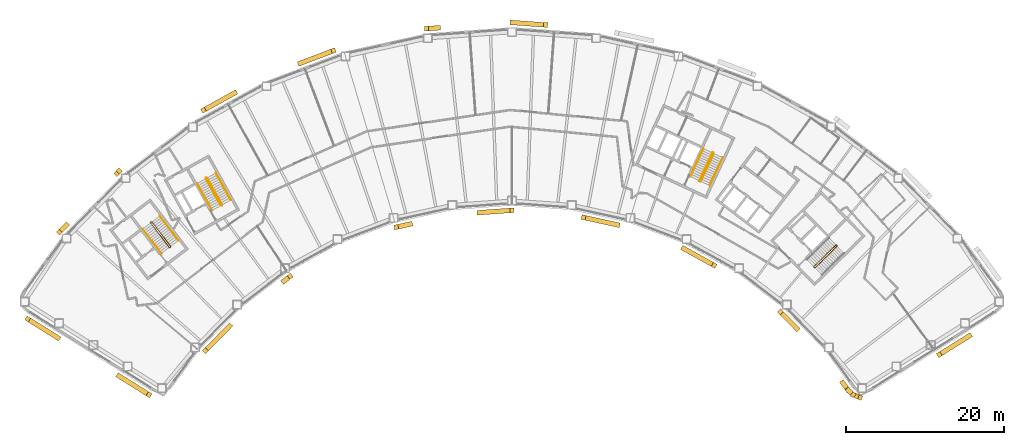
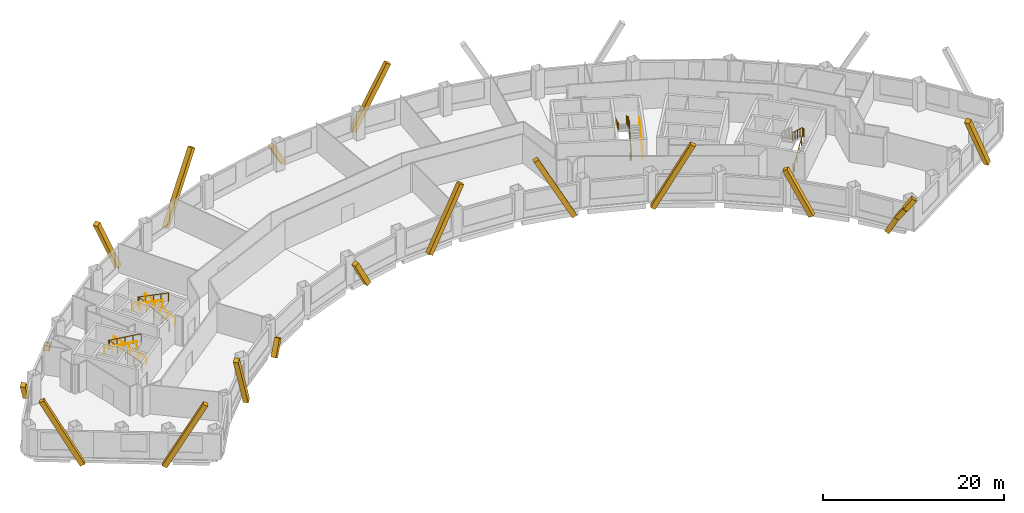
# One storey, part 10 of 11: 19 coverings, 10 railings.
"""IFC4 building model written with IfcOpenShell, lengths in metres."""

from ifc_helpers import new_model, si_unit, direction, frame, origin, origin_2d, place, context, subcontext, project, spatial, rectangle, circle, extrude, material, material_profile, profile_set, type_object, element, save


model = new_model("IFC4")

# Units and contexts
model_context = context("Model", 3, precision=1e-05, world=origin(), true_north=direction((0.0, 1.0)))
body_context = subcontext(model_context, "Body", "Model", "MODEL_VIEW")
ifc_project = project(units=[si_unit("LENGTHUNIT", "METRE"), si_unit("AREAUNIT", "SQUARE_METRE"), si_unit("VOLUMEUNIT", "CUBIC_METRE"), si_unit("PLANEANGLEUNIT", "RADIAN"), si_unit("MASSUNIT", "GRAM", prefix="KILO")], contexts=[model_context])

# Site, building, storey
site_placement = place(None, origin())
site = spatial("IfcSite", under=ifc_project, at=site_placement, CompositionType="ELEMENT")
building_placement = place(site_placement, origin())
building = spatial("IfcBuilding", under=site, at=building_placement, Name="Tuul Gate Civic Tower", CompositionType="ELEMENT")
storey_placement = place(building_placement, frame((0.0, 0.0, 107.699951171875)))
storey = spatial("IfcBuildingStorey", under=building, at=storey_placement, Name="Level 24", CompositionType="ELEMENT", Elevation=107.699951171875)

# Railings
ifc_material_1 = material(Name="Painted steel", Category="steel")
railing_type_1 = type_object("IfcRailingType", Name="Stair guard", PredefinedType="GUARDRAIL", material=ifc_material_1)
railing_1_placement = place(storey_placement, frame((-33.382080078125, -13.515380859375, 0.0)))
element("IfcRailing", 1, at=railing_1_placement, inside=storey, type_object=railing_type_1, Name="Level 24 ST-1 stair guard 1", PredefinedType="GUARDRAIL", context=body_context, shape_type="SweptSolid", body=[
    extrude(circle(Radius=0.02392578125, at=origin_2d()), frame((0.0, 0.0, 1.076171875), z_axis=(-0.795879841968, -0.605454603706, 0.0), x_axis=(0.605454603706, -0.795879841968, 0.0)), (0.0, 0.0, 1.0), 0.10009765625),
    extrude(circle(Radius=0.02392578125, at=origin_2d()), frame((-0.07958984375, -0.060546875, 1.076171875), z_axis=(0.408676696321, 0.599019267211, 0.688592241747), x_axis=(-0.826063974707, 0.563576356576, 0.0)), (0.0, 0.0, 1.0), 0.218017578125),
    extrude(circle(Radius=0.02392578125, at=origin_2d()), frame((0.009521484375, 0.070068359375, 1.22607421875), z_axis=(-0.541824460341, 0.711645023348, 0.447199748346), x_axis=(-0.795637165283, -0.60577347352, 0.0)), (0.0, 0.0, 1.0), 4.3603515625),
    extrude(circle(Radius=0.02392578125, at=origin_2d()), frame((-2.35302734375, 3.173095703125, 3.17626953125), z_axis=(-0.990893089246, 0.134650977284, 0.0), x_axis=(-0.134650977284, -0.990893089246, 0.0)), (0.0, 0.0, 1.0), 0.07080078125),
    extrude(circle(Radius=0.02392578125, at=origin_2d()), frame((-2.423095703125, 3.1826171875, 3.17626953125), z_axis=(-0.793802879778, -0.60817512943, 0.0), x_axis=(0.60817512943, -0.793802879778, 0.0)), (0.0, 0.0, 1.0), 0.099853515625),
    extrude(circle(Radius=0.02392578125, at=origin_2d()), frame((-2.50244140625, 3.121826171875, 3.17626953125), z_axis=(-0.057447065493, -0.422751481959, 0.904423031091), x_axis=(0.990893089246, -0.134650977284, 0.0)), (0.0, 0.0, 1.0), 0.165771484375),
    extrude(circle(Radius=0.02392578125, at=origin_2d()), frame((-2.511962890625, 3.0517578125, 3.326171875), z_axis=(0.541806494602, -0.71163897684, 0.447231136047), x_axis=(0.795644365679, 0.605764016233, 0.0)), (0.0, 0.0, 1.0), 4.360107421875),
    extrude(circle(Radius=0.02099609375, at=origin_2d()), origin(), (0.0, 0.0, 1.0), 1.052001953125),
    extrude(circle(Radius=0.02099609375, at=origin_2d()), frame((-0.07958984375, -0.060546875, 0.0)), (0.0, 0.0, 1.0), 1.052001953125),
    extrude(circle(Radius=0.02099609375, at=origin_2d()), frame((0.009521484375, 0.070068359375, 0.150146484375)), (0.0, 0.0, 1.0), 1.052001953125),
    extrude(circle(Radius=0.02099609375, at=origin_2d()), frame((-0.5810546875, 0.845703125, 0.6376953125)), (0.0, 0.0, 1.0), 1.052001953125),
    extrude(circle(Radius=0.02099609375, at=origin_2d()), frame((-1.171875, 1.62158203125, 1.125)), (0.0, 0.0, 1.0), 1.052001953125),
    extrude(circle(Radius=0.02099609375, at=origin_2d()), frame((-1.762451171875, 2.3974609375, 1.612548828125)), (0.0, 0.0, 1.0), 1.052001953125),
    extrude(circle(Radius=0.02099609375, at=origin_2d()), frame((-2.35302734375, 3.173095703125, 2.10009765625)), (0.0, 0.0, 1.0), 1.052001953125),
    extrude(circle(Radius=0.02099609375, at=origin_2d()), frame((-2.423095703125, 3.1826171875, 2.10009765625)), (0.0, 0.0, 1.0), 1.052001953125),
    extrude(circle(Radius=0.02099609375, at=origin_2d()), frame((-2.50244140625, 3.121826171875, 2.10009765625)), (0.0, 0.0, 1.0), 1.052001953125),
    extrude(circle(Radius=0.02099609375, at=origin_2d()), frame((-2.511962890625, 3.0517578125, 2.25)), (0.0, 0.0, 1.0), 1.052001953125),
    extrude(circle(Radius=0.02099609375, at=origin_2d()), frame((-1.92138671875, 2.276123046875, 2.737548828125)), (0.0, 0.0, 1.0), 1.052001953125),
    extrude(circle(Radius=0.02099609375, at=origin_2d()), frame((-1.330810546875, 1.50048828125, 3.22509765625)), (0.0, 0.0, 1.0), 1.052001953125),
    extrude(circle(Radius=0.02099609375, at=origin_2d()), frame((-0.740234375, 0.724609375, 3.71240234375)), (0.0, 0.0, 1.0), 1.052001953125),
    extrude(circle(Radius=0.02099609375, at=origin_2d()), frame((-0.149658203125, -0.051025390625, 4.199951171875)), (0.0, 0.0, 1.0), 1.052001953125),
])
railing_2_placement = place(storey_placement, frame((-26.857666015625, -8.247314453125, 0.0)))
element("IfcRailing", 2, at=railing_2_placement, inside=storey, type_object=railing_type_1, Name="Level 24 ST-2 stair guard 1", PredefinedType="GUARDRAIL", context=body_context, shape_type="SweptSolid", body=[
    extrude(circle(Radius=0.02392578125, at=origin_2d()), frame((0.0, 0.0, 1.076171875), z_axis=(-0.874616555828, -0.48481530532, 0.0), x_axis=(0.48481530532, -0.874616555828, 0.0)), (0.0, 0.0, 1.0), 0.10009765625),
    extrude(circle(Radius=0.02392578125, at=origin_2d()), frame((-0.087646484375, -0.048583984375, 1.076171875), z_axis=(0.490435707169, 0.534104639999, 0.688625479244), x_axis=(-0.736576986774, 0.676353711126, 0.0)), (0.0, 0.0, 1.0), 0.218017578125),
    extrude(circle(Radius=0.02392578125, at=origin_2d()), frame((0.019287109375, 0.06787109375, 1.22607421875), z_axis=(-0.43354991378, 0.782327185242, 0.447212083348), x_axis=(-0.874667644053, -0.484723129681, 0.0)), (0.0, 0.0, 1.0), 4.3603515625),
    extrude(circle(Radius=0.02392578125, at=origin_2d()), frame((-1.87109375, 3.47900390625, 3.17626953125), z_axis=(-0.961263487578, 0.275631107549, 0.0), x_axis=(-0.275631107549, -0.961263487578, 0.0)), (0.0, 0.0, 1.0), 0.07080078125),
    extrude(circle(Radius=0.02392578125, at=origin_2d()), frame((-1.939208984375, 3.49853515625, 3.17626953125), z_axis=(-0.874042088414, -0.485850211157, 0.0), x_axis=(0.485850211157, -0.874042088414, 0.0)), (0.0, 0.0, 1.0), 0.10009765625),
    extrude(circle(Radius=0.02392578125, at=origin_2d()), frame((-2.026611328125, 3.449951171875, 3.17626953125), z_axis=(-0.117866478395, -0.409586012422, 0.90462522168), x_axis=(0.961000426733, -0.276546885391, 0.0)), (0.0, 0.0, 1.0), 0.165771484375),
    extrude(circle(Radius=0.02392578125, at=origin_2d()), frame((-2.046142578125, 3.382080078125, 3.326171875), z_axis=(0.433595379963, -0.782308193291, 0.447201226726), x_axis=(0.874641102302, 0.484771020343, 0.0)), (0.0, 0.0, 1.0), 4.3603515625),
    extrude(circle(Radius=0.02099609375, at=origin_2d()), origin(), (0.0, 0.0, 1.0), 1.052001953125),
    extrude(circle(Radius=0.02099609375, at=origin_2d()), frame((-0.087646484375, -0.048583984375, 0.0)), (0.0, 0.0, 1.0), 1.052001953125),
    extrude(circle(Radius=0.02099609375, at=origin_2d()), frame((0.019287109375, 0.06787109375, 0.150146484375)), (0.0, 0.0, 1.0), 1.052001953125),
    extrude(circle(Radius=0.02099609375, at=origin_2d()), frame((-0.453369140625, 0.920654296875, 0.6376953125)), (0.0, 0.0, 1.0), 1.052001953125),
    extrude(circle(Radius=0.02099609375, at=origin_2d()), frame((-0.92578125, 1.7734375, 1.125)), (0.0, 0.0, 1.0), 1.052001953125),
    extrude(circle(Radius=0.02099609375, at=origin_2d()), frame((-1.3984375, 2.626220703125, 1.612548828125)), (0.0, 0.0, 1.0), 1.052001953125),
    extrude(circle(Radius=0.02099609375, at=origin_2d()), frame((-1.87109375, 3.47900390625, 2.10009765625)), (0.0, 0.0, 1.0), 1.052001953125),
    extrude(circle(Radius=0.02099609375, at=origin_2d()), frame((-1.939208984375, 3.49853515625, 2.10009765625)), (0.0, 0.0, 1.0), 1.052001953125),
    extrude(circle(Radius=0.02099609375, at=origin_2d()), frame((-2.026611328125, 3.449951171875, 2.10009765625)), (0.0, 0.0, 1.0), 1.052001953125),
    extrude(circle(Radius=0.02099609375, at=origin_2d()), frame((-2.046142578125, 3.382080078125, 2.25)), (0.0, 0.0, 1.0), 1.052001953125),
    extrude(circle(Radius=0.02099609375, at=origin_2d()), frame((-1.573486328125, 2.529296875, 2.737548828125)), (0.0, 0.0, 1.0), 1.052001953125),
    extrude(circle(Radius=0.02099609375, at=origin_2d()), frame((-1.100830078125, 1.676513671875, 3.22509765625)), (0.0, 0.0, 1.0), 1.052001953125),
    extrude(circle(Radius=0.02099609375, at=origin_2d()), frame((-0.628173828125, 0.82373046875, 3.71240234375)), (0.0, 0.0, 1.0), 1.052001953125),
    extrude(circle(Radius=0.02099609375, at=origin_2d()), frame((-0.155517578125, -0.029052734375, 4.199951171875)), (0.0, 0.0, 1.0), 1.052001953125),
])
railing_3_placement = place(storey_placement, frame((48.10546875, -16.134765625, 0.0)))
element("IfcRailing", 3, at=railing_3_placement, inside=storey, type_object=railing_type_1, Name="Level 24 ST-3 stair guard 1", PredefinedType="GUARDRAIL", context=body_context, shape_type="SweptSolid", body=[
    extrude(circle(Radius=0.02392578125, at=origin_2d()), frame((0.0, 0.0, 1.076171875), z_axis=(-0.698506948293, 0.715603272202, 0.0), x_axis=(-0.715603272202, -0.698506948293, 0.0)), (0.0, 0.0, 1.0), 0.099853515625),
    extrude(circle(Radius=0.02392578125, at=origin_2d()), frame((-0.06982421875, 0.071533203125, 1.076171875), z_axis=(0.644948864628, -0.331432055434, 0.688617277337), x_axis=(0.457068866502, 0.889431307788, 0.0)), (0.0, 0.0, 1.0), 0.218017578125),
    extrude(circle(Radius=0.02392578125, at=origin_2d()), frame((0.07080078125, -0.000732421875, 1.22607421875), z_axis=(0.638731261263, 0.626133563701, 0.447190268558), x_axis=(-0.700029477518, 0.714113947914, 0.0)), (0.0, 0.0, 1.0), 4.3603515625),
    extrude(circle(Radius=0.02392578125, at=origin_2d()), frame((2.85595703125, 2.7294921875, 3.17626953125), z_axis=(0.010380063588, 0.999946125689, 0.0), x_axis=(-0.999946125689, 0.010380063588, 0.0)), (0.0, 0.0, 1.0), 0.070556640625),
    extrude(circle(Radius=0.02392578125, at=origin_2d()), frame((2.856689453125, 2.800048828125, 3.17626953125), z_axis=(-0.699754442181, 0.714383454909, 0.0), x_axis=(-0.714383454909, -0.699754442181, 0.0)), (0.0, 0.0, 1.0), 0.10009765625),
    extrude(circle(Radius=0.02392578125, at=origin_2d()), frame((2.78662109375, 2.87158203125, 3.17626953125), z_axis=(-0.427069033481, 0.004417955519, 0.904208229508), x_axis=(-0.010344274102, -0.999946496565, 0.0)), (0.0, 0.0, 1.0), 0.165771484375),
    extrude(circle(Radius=0.02392578125, at=origin_2d()), frame((2.7158203125, 2.872314453125, 3.326171875), z_axis=(-0.638731261263, -0.626133563701, 0.447190268558), x_axis=(0.700029477518, -0.714113947914, 0.0)), (0.0, 0.0, 1.0), 4.3603515625),
    extrude(circle(Radius=0.02099609375, at=origin_2d()), origin(), (0.0, 0.0, 1.0), 1.052001953125),
    extrude(circle(Radius=0.02099609375, at=origin_2d()), frame((-0.06982421875, 0.071533203125, 0.0)), (0.0, 0.0, 1.0), 1.052001953125),
    extrude(circle(Radius=0.02099609375, at=origin_2d()), frame((0.07080078125, -0.000732421875, 0.150146484375)), (0.0, 0.0, 1.0), 1.052001953125),
    extrude(circle(Radius=0.02099609375, at=origin_2d()), frame((0.76708984375, 0.681884765625, 0.6376953125)), (0.0, 0.0, 1.0), 1.052001953125),
    extrude(circle(Radius=0.02099609375, at=origin_2d()), frame((1.46337890625, 1.3642578125, 1.125)), (0.0, 0.0, 1.0), 1.052001953125),
    extrude(circle(Radius=0.02099609375, at=origin_2d()), frame((2.15966796875, 2.046875, 1.612548828125)), (0.0, 0.0, 1.0), 1.052001953125),
    extrude(circle(Radius=0.02099609375, at=origin_2d()), frame((2.85595703125, 2.7294921875, 2.10009765625)), (0.0, 0.0, 1.0), 1.052001953125),
    extrude(circle(Radius=0.02099609375, at=origin_2d()), frame((2.856689453125, 2.800048828125, 2.10009765625)), (0.0, 0.0, 1.0), 1.052001953125),
    extrude(circle(Radius=0.02099609375, at=origin_2d()), frame((2.78662109375, 2.87158203125, 2.10009765625)), (0.0, 0.0, 1.0), 1.052001953125),
    extrude(circle(Radius=0.02099609375, at=origin_2d()), frame((2.7158203125, 2.872314453125, 2.25)), (0.0, 0.0, 1.0), 1.052001953125),
    extrude(circle(Radius=0.02099609375, at=origin_2d()), frame((2.01953125, 2.189697265625, 2.737548828125)), (0.0, 0.0, 1.0), 1.052001953125),
    extrude(circle(Radius=0.02099609375, at=origin_2d()), frame((1.3232421875, 1.50732421875, 3.22509765625)), (0.0, 0.0, 1.0), 1.052001953125),
    extrude(circle(Radius=0.02099609375, at=origin_2d()), frame((0.626953125, 0.82470703125, 3.71240234375)), (0.0, 0.0, 1.0), 1.052001953125),
    extrude(circle(Radius=0.02099609375, at=origin_2d()), frame((-0.0693359375, 0.14208984375, 4.199951171875)), (0.0, 0.0, 1.0), 1.052001953125),
])
railing_4_placement = place(storey_placement, frame((33.645751953125, -5.238525390625, 0.0)))
element("IfcRailing", 4, at=railing_4_placement, inside=storey, type_object=railing_type_1, Name="Level 24 ST-4 stair guard 1", PredefinedType="GUARDRAIL", context=body_context, shape_type="SweptSolid", body=[
    extrude(circle(Radius=0.02392578125, at=origin_2d()), frame((0.0, 0.0, 1.076171875), z_axis=(-0.906307919131, 0.422617978463, 0.0), x_axis=(-0.422617978463, -0.906307919131, 0.0)), (0.0, 0.0, 1.0), 0.099853515625),
    extrude(circle(Radius=0.02392578125, at=origin_2d()), frame((-0.090576171875, 0.042236328125, 1.076171875), z_axis=(0.720179819621, -0.082882280952, 0.688818956559), x_axis=(0.114330889033, 0.993442724979, 0.0)), (0.0, 0.0, 1.0), 0.218017578125),
    extrude(circle(Radius=0.02392578125, at=origin_2d()), frame((0.06640625, 0.024169921875, 1.22607421875), z_axis=(0.377946903738, 0.810654114417, 0.447209173356), x_axis=(-0.906336612539, 0.422556439746, 0.0)), (0.0, 0.0, 1.0), 4.3603515625),
    extrude(circle(Radius=0.02392578125, at=origin_2d()), frame((1.71435546875, 3.558837890625, 3.17626953125), z_axis=(-0.342020437038, 0.939692513883, 0.0), x_axis=(-0.939692513883, -0.342020437038, 0.0)), (0.0, 0.0, 1.0), 0.070556640625),
    extrude(circle(Radius=0.02392578125, at=origin_2d()), frame((1.690185546875, 3.625244140625, 3.17626953125), z_axis=(-0.906307919131, 0.422617978463, 0.0), x_axis=(-0.422617978463, -0.906307919131, 0.0)), (0.0, 0.0, 1.0), 0.099853515625),
    extrude(circle(Radius=0.02392578125, at=origin_2d()), frame((1.599609375, 3.66748046875, 3.17626953125), z_axis=(-0.40070210376, -0.145843780413, 0.904526072458), x_axis=(0.342020437038, -0.939692513883, 0.0)), (0.0, 0.0, 1.0), 0.165771484375),
    extrude(circle(Radius=0.02392578125, at=origin_2d()), frame((1.533203125, 3.643310546875, 3.326171875), z_axis=(-0.377946903738, -0.810654114417, 0.447209173356), x_axis=(0.906336612539, -0.422556439746, 0.0)), (0.0, 0.0, 1.0), 4.3603515625),
    extrude(circle(Radius=0.02099609375, at=origin_2d()), origin(), (0.0, 0.0, 1.0), 1.052001953125),
    extrude(circle(Radius=0.02099609375, at=origin_2d()), frame((-0.090576171875, 0.042236328125, 0.0)), (0.0, 0.0, 1.0), 1.052001953125),
    extrude(circle(Radius=0.02099609375, at=origin_2d()), frame((0.06640625, 0.024169921875, 0.150146484375)), (0.0, 0.0, 1.0), 1.052001953125),
    extrude(circle(Radius=0.02099609375, at=origin_2d()), frame((0.478515625, 0.90771484375, 0.6376953125)), (0.0, 0.0, 1.0), 1.052001953125),
    extrude(circle(Radius=0.02099609375, at=origin_2d()), frame((0.890380859375, 1.79150390625, 1.125)), (0.0, 0.0, 1.0), 1.052001953125),
    extrude(circle(Radius=0.02099609375, at=origin_2d()), frame((1.30224609375, 2.67529296875, 1.612548828125)), (0.0, 0.0, 1.0), 1.052001953125),
    extrude(circle(Radius=0.02099609375, at=origin_2d()), frame((1.71435546875, 3.558837890625, 2.10009765625)), (0.0, 0.0, 1.0), 1.052001953125),
    extrude(circle(Radius=0.02099609375, at=origin_2d()), frame((1.690185546875, 3.625244140625, 2.10009765625)), (0.0, 0.0, 1.0), 1.052001953125),
    extrude(circle(Radius=0.02099609375, at=origin_2d()), frame((1.599609375, 3.66748046875, 2.10009765625)), (0.0, 0.0, 1.0), 1.052001953125),
    extrude(circle(Radius=0.02099609375, at=origin_2d()), frame((1.533203125, 3.643310546875, 2.25)), (0.0, 0.0, 1.0), 1.052001953125),
    extrude(circle(Radius=0.02099609375, at=origin_2d()), frame((1.12109375, 2.759765625, 2.737548828125)), (0.0, 0.0, 1.0), 1.052001953125),
    extrude(circle(Radius=0.02099609375, at=origin_2d()), frame((0.709228515625, 1.8759765625, 3.22509765625)), (0.0, 0.0, 1.0), 1.052001953125),
    extrude(circle(Radius=0.02099609375, at=origin_2d()), frame((0.29736328125, 0.9921875, 3.71240234375)), (0.0, 0.0, 1.0), 1.052001953125),
    extrude(circle(Radius=0.02099609375, at=origin_2d()), frame((-0.11474609375, 0.108642578125, 4.199951171875)), (0.0, 0.0, 1.0), 1.052001953125),
])
ifc_material_2 = material(Name="Painted steel", Category="steel")
railing_type_2 = type_object("IfcRailingType", Name="Stair handrail", PredefinedType="HANDRAIL", material=ifc_material_2)
railing_5_placement = place(storey_placement, frame((-32.3779296875, -12.688232421875, 0.150146484375)))
element("IfcRailing", 5, at=railing_5_placement, inside=storey, type_object=railing_type_2, Name="Level 24 ST-1 stair handrail 1", PredefinedType="HANDRAIL", context=body_context, shape_type="SweptSolid", body=[
    extrude(circle(Radius=0.02392578125, at=origin_2d()), frame((0.0, 0.0, 0.8759765625), z_axis=(-0.541824460341, 0.711645023348, 0.447199748346), x_axis=(-0.795637165283, -0.60577347352, 0.0)), (0.0, 0.0, 1.0), 4.3603515625),
    extrude(circle(Radius=0.02099609375, at=origin_2d()), origin(), (0.0, 0.0, 1.0), 0.851806640625),
    extrude(circle(Radius=0.02099609375, at=origin_2d()), frame((-0.590576171875, 0.77587890625, 0.487548828125)), (0.0, 0.0, 1.0), 0.851806640625),
    extrude(circle(Radius=0.02099609375, at=origin_2d()), frame((-1.18115234375, 1.551513671875, 0.97509765625)), (0.0, 0.0, 1.0), 0.851806640625),
    extrude(circle(Radius=0.02099609375, at=origin_2d()), frame((-1.77197265625, 2.3271484375, 1.46240234375)), (0.0, 0.0, 1.0), 0.851806640625),
    extrude(circle(Radius=0.02099609375, at=origin_2d()), frame((-2.362548828125, 3.10302734375, 1.949951171875)), (0.0, 0.0, 1.0), 0.851806640625),
])
railing_6_placement = place(storey_placement, frame((-36.888671875, -11.220703125, 2.25)))
element("IfcRailing", 6, at=railing_6_placement, inside=storey, type_object=railing_type_2, Name="Level 24 ST-1 stair handrail 2", PredefinedType="HANDRAIL", context=body_context, shape_type="SweptSolid", body=[
    extrude(circle(Radius=0.02392578125, at=origin_2d()), frame((0.0, 0.0, 0.8759765625), z_axis=(0.541824460341, -0.711645023348, 0.447199748346), x_axis=(0.795637165283, 0.60577347352, 0.0)), (0.0, 0.0, 1.0), 4.3603515625),
    extrude(circle(Radius=0.02099609375, at=origin_2d()), origin(), (0.0, 0.0, 1.0), 0.851806640625),
    extrude(circle(Radius=0.02099609375, at=origin_2d()), frame((0.590576171875, -0.77587890625, 0.487548828125)), (0.0, 0.0, 1.0), 0.851806640625),
    extrude(circle(Radius=0.02099609375, at=origin_2d()), frame((1.18115234375, -1.551513671875, 0.97509765625)), (0.0, 0.0, 1.0), 0.851806640625),
    extrude(circle(Radius=0.02099609375, at=origin_2d()), frame((1.77197265625, -2.3271484375, 1.46240234375)), (0.0, 0.0, 1.0), 0.851806640625),
    extrude(circle(Radius=0.02099609375, at=origin_2d()), frame((2.362548828125, -3.10302734375, 1.949951171875)), (0.0, 0.0, 1.0), 0.851806640625),
])
railing_7_placement = place(storey_placement, frame((-25.744873046875, -7.573486328125, 0.150146484375)))
element("IfcRailing", 7, at=railing_7_placement, inside=storey, type_object=railing_type_2, Name="Level 24 ST-2 stair handrail 1", PredefinedType="HANDRAIL", context=body_context, shape_type="SweptSolid", body=[
    extrude(circle(Radius=0.02392578125, at=origin_2d()), frame((0.0, 0.0, 0.8759765625), z_axis=(-0.433595379963, 0.782308193291, 0.447201226726), x_axis=(-0.874641102302, -0.484771020343, 0.0)), (0.0, 0.0, 1.0), 4.3603515625),
    extrude(circle(Radius=0.02099609375, at=origin_2d()), origin(), (0.0, 0.0, 1.0), 0.851806640625),
    extrude(circle(Radius=0.02099609375, at=origin_2d()), frame((-0.47265625, 0.852783203125, 0.487548828125)), (0.0, 0.0, 1.0), 0.851806640625),
    extrude(circle(Radius=0.02099609375, at=origin_2d()), frame((-0.9453125, 1.70556640625, 0.97509765625)), (0.0, 0.0, 1.0), 0.851806640625),
    extrude(circle(Radius=0.02099609375, at=origin_2d()), frame((-1.41796875, 2.558349609375, 1.46240234375)), (0.0, 0.0, 1.0), 0.851806640625),
    extrude(circle(Radius=0.02099609375, at=origin_2d()), frame((-1.890625, 3.4111328125, 1.949951171875)), (0.0, 0.0, 1.0), 0.851806640625),
])
railing_8_placement = place(storey_placement, frame((-29.9970703125, -5.47119140625, 2.25)))
element("IfcRailing", 8, at=railing_8_placement, inside=storey, type_object=railing_type_2, Name="Level 24 ST-2 stair handrail 2", PredefinedType="HANDRAIL", context=body_context, shape_type="SweptSolid", body=[
    extrude(circle(Radius=0.02392578125, at=origin_2d()), frame((0.0, 0.0, 0.8759765625), z_axis=(0.433595379963, -0.782308193291, 0.447201226726), x_axis=(0.874641102302, 0.484771020343, 0.0)), (0.0, 0.0, 1.0), 4.3603515625),
    extrude(circle(Radius=0.02099609375, at=origin_2d()), origin(), (0.0, 0.0, 1.0), 0.851806640625),
    extrude(circle(Radius=0.02099609375, at=origin_2d()), frame((0.47265625, -0.852783203125, 0.487548828125)), (0.0, 0.0, 1.0), 0.851806640625),
    extrude(circle(Radius=0.02099609375, at=origin_2d()), frame((0.9453125, -1.70556640625, 0.97509765625)), (0.0, 0.0, 1.0), 0.851806640625),
    extrude(circle(Radius=0.02099609375, at=origin_2d()), frame((1.41796875, -2.558349609375, 1.46240234375)), (0.0, 0.0, 1.0), 0.851806640625),
    extrude(circle(Radius=0.02099609375, at=origin_2d()), frame((1.890625, -3.4111328125, 1.949951171875)), (0.0, 0.0, 1.0), 0.851806640625),
])
railing_9_placement = place(storey_placement, frame((34.844970703125, -5.74267578125, 0.150146484375)))
element("IfcRailing", 9, at=railing_9_placement, inside=storey, type_object=railing_type_2, Name="Level 24 ST-4 stair handrail 1", PredefinedType="HANDRAIL", context=body_context, shape_type="SweptSolid", body=[
    extrude(circle(Radius=0.02392578125, at=origin_2d()), frame((0.0, 0.0, 0.8759765625), z_axis=(0.377994896215, 0.810636958585, 0.447199709091), x_axis=(-0.906312636903, 0.422607861012, 0.0)), (0.0, 0.0, 1.0), 4.3603515625),
    extrude(circle(Radius=0.02099609375, at=origin_2d()), origin(), (0.0, 0.0, 1.0), 0.851806640625),
    extrude(circle(Radius=0.02099609375, at=origin_2d()), frame((0.412109375, 0.8837890625, 0.487548828125)), (0.0, 0.0, 1.0), 0.851806640625),
    extrude(circle(Radius=0.02099609375, at=origin_2d()), frame((0.82421875, 1.767333984375, 0.97509765625)), (0.0, 0.0, 1.0), 0.851806640625),
    extrude(circle(Radius=0.02099609375, at=origin_2d()), frame((1.236083984375, 2.65087890625, 1.46240234375)), (0.0, 0.0, 1.0), 0.851806640625),
    extrude(circle(Radius=0.02099609375, at=origin_2d()), frame((1.648193359375, 3.53466796875, 1.949951171875)), (0.0, 0.0, 1.0), 0.851806640625),
])
railing_10_placement = place(storey_placement, frame((34.046142578125, -1.06689453125, 2.25)))
element("IfcRailing", 10, at=railing_10_placement, inside=storey, type_object=railing_type_2, Name="Level 24 ST-4 stair handrail 2", PredefinedType="HANDRAIL", context=body_context, shape_type="SweptSolid", body=[
    extrude(circle(Radius=0.02392578125, at=origin_2d()), frame((0.0, 0.0, 0.8759765625), z_axis=(-0.377994896215, -0.810636958585, 0.447199709091), x_axis=(0.906312636903, -0.422607861012, 0.0)), (0.0, 0.0, 1.0), 4.3603515625),
    extrude(circle(Radius=0.02099609375, at=origin_2d()), origin(), (0.0, 0.0, 1.0), 0.851806640625),
    extrude(circle(Radius=0.02099609375, at=origin_2d()), frame((-0.412109375, -0.8837890625, 0.487548828125)), (0.0, 0.0, 1.0), 0.851806640625),
    extrude(circle(Radius=0.02099609375, at=origin_2d()), frame((-0.82421875, -1.767333984375, 0.97509765625)), (0.0, 0.0, 1.0), 0.851806640625),
    extrude(circle(Radius=0.02099609375, at=origin_2d()), frame((-1.236083984375, -2.65087890625, 1.46240234375)), (0.0, 0.0, 1.0), 0.851806640625),
    extrude(circle(Radius=0.02099609375, at=origin_2d()), frame((-1.648193359375, -3.53466796875, 1.949951171875)), (0.0, 0.0, 1.0), 0.851806640625),
])

# Coverings
ifc_material_3 = material(Name="Terracotta baguette", Category="masonry")
ifc_material_profile = material_profile(ifc_material_3, rectangle(XDim=0.60009765625, YDim=0.60009765625, at=origin_2d()), Name="Terracotta baguette screen frame")
ifc_profile_set = profile_set([ifc_material_profile], Name="Terracotta baguette")
covering_type = type_object("IfcCoveringType", Name="Terracotta baguette screen frame", PredefinedType="CLADDING", material=ifc_profile_set)
covering_1_placement = place(storey_placement, frame((67.73046875, -24.738525390625, -0.349853515625), z_axis=(-0.402311882917, -0.25140654805, 0.880306705905), x_axis=(0.529940764372, -0.848034661, 0.0)))
element("IfcCovering", 11, at=covering_1_placement, inside=storey, type_object=covering_type, Name="Baguette 3", PredefinedType="CLADDING", context=body_context, shape_type="SweptSolid", body=[
    extrude(rectangle(XDim=0.60009765625, YDim=0.60009765625, at=origin_2d()), origin(), (0.0, 0.0, 1.0), 9.5419921875),
])
covering_2_placement = place(storey_placement, frame((14.084228515625, 14.581298828125, 8.050048828125), z_axis=(-0.47391214499, 0.034369438939, -0.879901142457), x_axis=(-0.07233283692, -0.997380549591, 0.0)))
element("IfcCovering", 12, at=covering_2_placement, inside=storey, type_object=covering_type, Name="Baguette 69", PredefinedType="CLADDING", context=body_context, shape_type="SweptSolid", body=[
    extrude(rectangle(XDim=0.60009765625, YDim=0.60009765625, at=origin_2d()), origin(), (0.0, 0.0, 1.0), 8.978759765625),
])
covering_3_placement = place(storey_placement, frame((0.51123046875, 14.21435546875, -0.349853515625), z_axis=(-0.473947055749, -0.034429752063, 0.879879980747), x_axis=(0.07245379487, -0.997371770008, 0.0)))
element("IfcCovering", 13, at=covering_3_placement, inside=storey, type_object=covering_type, Name="Baguette 81", PredefinedType="CLADDING", context=body_context, shape_type="SweptSolid", body=[
    extrude(rectangle(XDim=0.60009765625, YDim=0.60009765625, at=origin_2d()), origin(), (0.0, 0.0, 1.0), 3.1767578125),
])
for number, where, z_axis, x_axis, name in (
    (14, (-12.75830078125, 11.328125, 8.050048828125), (-0.444493870859, -0.168018222861, -0.879883557953), (0.353581620873, -0.935403676164, 0.0), "Baguette 93"),
    (15, (-25.244384765625, 5.990234375, -0.349853515625), (-0.415599156496, -0.23036842051, 0.879890750009), (0.484806475071, -0.874621450531, 0.0), "Baguette 102"),
):
    element("IfcCovering", number, at=place(storey_placement, frame(where, z_axis=z_axis, x_axis=x_axis)), inside=storey, type_object=covering_type, Name=name, PredefinedType="CLADDING", context=body_context, shape_type="SweptSolid", body=[
        extrude(rectangle(XDim=0.60009765625, YDim=0.60009765625, at=origin_2d()), origin(), (0.0, 0.0, 1.0), 9.546630859375),
    ])
covering_4_placement = place(storey_placement, frame((-39.864501953125, -3.902099609375, 0.48046875), z_axis=(-0.332688248013, -0.339414448984, -0.879838826976), x_axis=(0.71414753099, -0.699995217113, 0.0)))
element("IfcCovering", 16, at=covering_4_placement, inside=storey, type_object=covering_type, Name="Baguette 112", PredefinedType="CLADDING", context=body_context, shape_type="SweptSolid", body=[
    extrude(rectangle(XDim=0.60009765625, YDim=0.60009765625, at=origin_2d()), origin(), (0.0, 0.0, 1.0), 0.943603515625),
])
covering_5_placement = place(storey_placement, frame((-46.529296875, -10.701416015625, -0.349853515625), z_axis=(-0.332610291791, -0.339410711911, 0.879869741743), x_axis=(0.714225678888, -0.699915480338, 0.0)))
element("IfcCovering", 17, at=covering_5_placement, inside=storey, type_object=covering_type, Name="Baguette 123", PredefinedType="CLADDING", context=body_context, shape_type="SweptSolid", body=[
    extrude(rectangle(XDim=0.60009765625, YDim=0.60009765625, at=origin_2d()), origin(), (0.0, 0.0, 1.0), 2.80029296875),
])
covering_6_placement = place(storey_placement, frame((-51.454833984375, -22.625, 8.050048828125), z_axis=(0.402293025591, -0.251385166726, -0.880321429656), x_axis=(0.529926214669, 0.848043753002, 0.0)))
element("IfcCovering", 18, at=covering_6_placement, inside=storey, type_object=covering_type, Name="Baguette 147", PredefinedType="CLADDING", context=body_context, shape_type="SweptSolid", body=[
    extrude(rectangle(XDim=0.60009765625, YDim=0.60009765625, at=origin_2d()), origin(), (0.0, 0.0, 1.0), 9.541748046875),
])
covering_7_placement = place(storey_placement, frame((-39.938720703125, -29.821044921875, -0.349853515625), z_axis=(0.402314470661, -0.251382579131, 0.8803123682), x_axis=(0.529901976461, 0.848058898511, 0.0)))
element("IfcCovering", 19, at=covering_7_placement, inside=storey, type_object=covering_type, Name="Baguette 154", PredefinedType="CLADDING", context=body_context, shape_type="SweptSolid", body=[
    extrude(rectangle(XDim=0.60009765625, YDim=0.60009765625, at=origin_2d()), origin(), (0.0, 0.0, 1.0), 9.5419921875),
])
covering_8_placement = place(storey_placement, frame((-28.9765625, -26.6513671875, 8.050048828125), z_axis=(0.326304785262, 0.332913164286, -0.884699956008), x_axis=(-0.714159342562, 0.699983166534, 0.0)))
element("IfcCovering", 20, at=covering_8_placement, inside=storey, type_object=covering_type, Name="Baguette 178", PredefinedType="CLADDING", context=body_context, shape_type="SweptSolid", body=[
    extrude(rectangle(XDim=0.60009765625, YDim=0.60009765625, at=origin_2d()), origin(), (0.0, 0.0, 1.0), 9.49462890625),
])
covering_9_placement = place(storey_placement, frame((-19.072998046875, -17.85888671875, -0.349853515625), z_axis=(0.370845581958, 0.282373042769, 0.884725391893), x_axis=(-0.605804319563, 0.795613679118, 0.0)))
element("IfcCovering", 21, at=covering_9_placement, inside=storey, type_object=covering_type, Name="Baguette 188", PredefinedType="CLADDING", context=body_context, shape_type="SweptSolid", body=[
    extrude(rectangle(XDim=0.60009765625, YDim=0.60009765625, at=origin_2d()), origin(), (0.0, 0.0, 1.0), 2.246337890625),
])
covering_10_placement = place(storey_placement, frame((-4.8134765625, -11.004638671875, 3.10595703125), z_axis=(0.45520337994, 0.100315999561, -0.884718363731), x_axis=(-0.215212210255, 0.976567306721, 0.0)))
element("IfcCovering", 22, at=covering_10_placement, inside=storey, type_object=covering_type, Name="Baguette 201", PredefinedType="CLADDING", context=body_context, shape_type="SweptSolid", body=[
    extrude(rectangle(XDim=0.60009765625, YDim=0.60009765625, at=origin_2d()), origin(), (0.0, 0.0, 1.0), 3.906005859375),
])
covering_11_placement = place(storey_placement, frame((5.677001953125, -9.17333984375, -0.349853515625), z_axis=(0.464945496627, 0.033626328033, 0.884700488996), x_axis=(-0.07213475166, 0.997394895517, 0.0)))
element("IfcCovering", 23, at=covering_11_placement, inside=storey, type_object=covering_type, Name="Baguette 214", PredefinedType="CLADDING", context=body_context, shape_type="SweptSolid", body=[
    extrude(rectangle(XDim=0.60009765625, YDim=0.60009765625, at=origin_2d()), origin(), (0.0, 0.0, 1.0), 8.93017578125),
])
for number, where, z_axis, x_axis, name in (
    (24, (18.885009765625, -9.7734375, 8.050048828125), (0.455212630132, -0.10033551843, -0.884711390856), (0.21524797351, 0.976559424664, 0.0), "Baguette 226"),
    (25, (31.53173828125, -13.69580078125, -0.349853515625), (0.407714066256, -0.225996400626, 0.884700439178), (0.484804374507, 0.87462261488, 0.0), "Baguette 237"),
):
    element("IfcCovering", number, at=place(storey_placement, frame(where, z_axis=z_axis, x_axis=x_axis)), inside=storey, type_object=covering_type, Name=name, PredefinedType="CLADDING", context=body_context, shape_type="SweptSolid", body=[
        extrude(rectangle(XDim=0.60009765625, YDim=0.60009765625, at=origin_2d()), origin(), (0.0, 0.0, 1.0), 9.49462890625),
    ])
covering_12_placement = place(storey_placement, frame((43.79931640625, -21.71875, 5.357421875), z_axis=(0.32633630584, -0.332883468186, -0.884699503842), x_axis=(0.714094324474, 0.700049495218, 0.0)))
element("IfcCovering", 26, at=covering_12_placement, inside=storey, type_object=covering_type, Name="Baguette 247", PredefinedType="CLADDING", context=body_context, shape_type="SweptSolid", body=[
    extrude(rectangle(XDim=0.60009765625, YDim=0.60009765625, at=origin_2d()), origin(), (0.0, 0.0, 1.0), 6.451171875),
])
covering_13_placement = place(storey_placement, frame((51.6572265625, -30.66552734375, -0.349853515625), z_axis=(0.27871399629, -0.381629940323, 0.881292855367), x_axis=(0.807561873714, 0.589782858452, 0.0)))
element("IfcCovering", 27, at=covering_13_placement, inside=storey, type_object=covering_type, Name="Baguette 264", PredefinedType="CLADDING", context=body_context, shape_type="SweptSolid", body=[
    extrude(rectangle(XDim=0.60009765625, YDim=0.60009765625, at=origin_2d()), origin(), (0.0, 0.0, 1.0), 2.438720703125),
])
covering_14_placement = place(storey_placement, frame((52.3369140625, -31.59619140625, 1.79931640625), z_axis=(0.418440465223, -0.391899916427, 0.819342439136), x_axis=(0.683580829185, 0.729874818013, 0.0)))
element("IfcCovering", 28, at=covering_14_placement, inside=storey, type_object=covering_type, Name="Baguette 265", PredefinedType="CLADDING", context=body_context, shape_type="SweptSolid", body=[
    extrude(rectangle(XDim=0.60009765625, YDim=0.60009765625, at=origin_2d()), origin(), (0.0, 0.0, 1.0), 1.572998046875),
])
covering_15_placement = place(storey_placement, frame((52.9951171875, -32.212646484375, 3.088134765625), z_axis=(0.560309218676, -0.22230892077, 0.79789242584), x_axis=(0.368793912902, 0.92951118864, 0.0)))
element("IfcCovering", 29, at=covering_15_placement, inside=storey, type_object=covering_type, Name="Baguette 266", PredefinedType="CLADDING", context=body_context, shape_type="SweptSolid", body=[
    extrude(rectangle(XDim=0.60009765625, YDim=0.60009765625, at=origin_2d()), origin(), (0.0, 0.0, 1.0), 1.6142578125),
])

save(model, "model.ifc")
